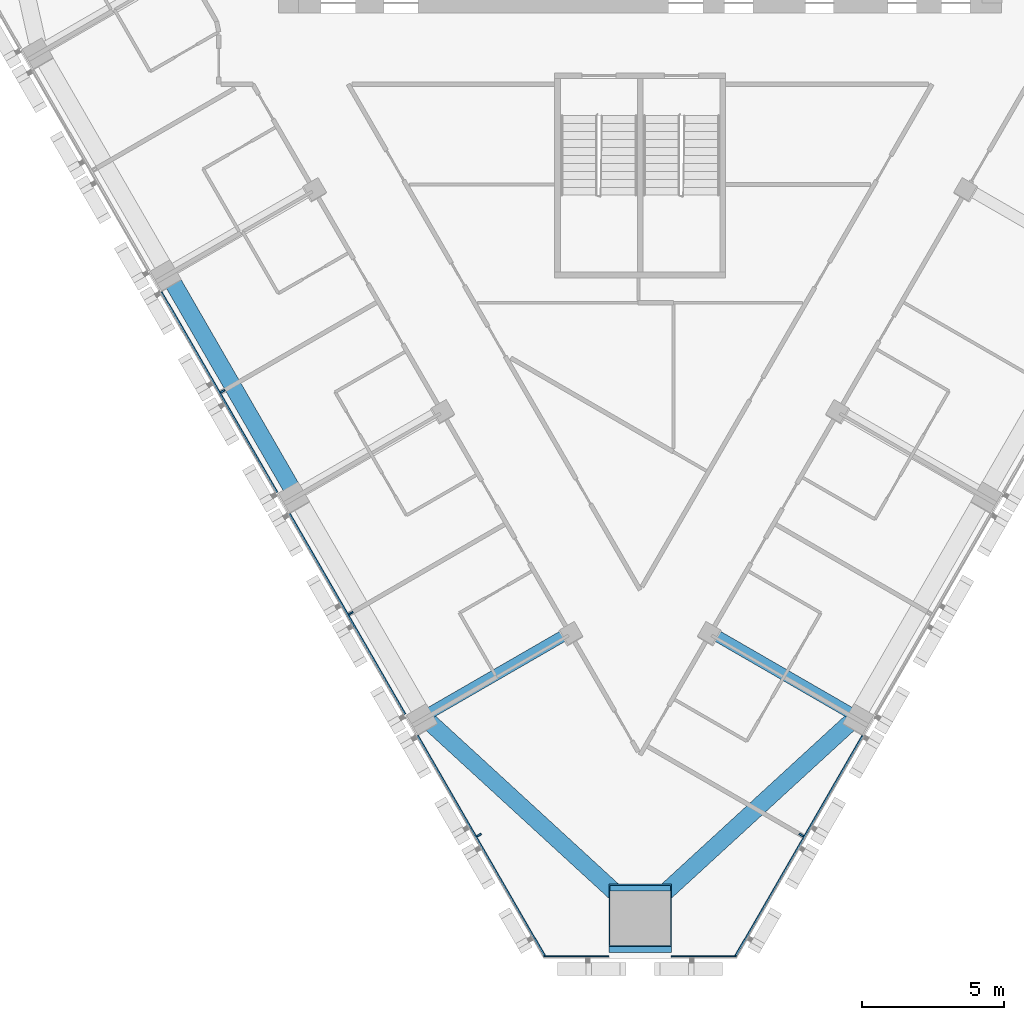
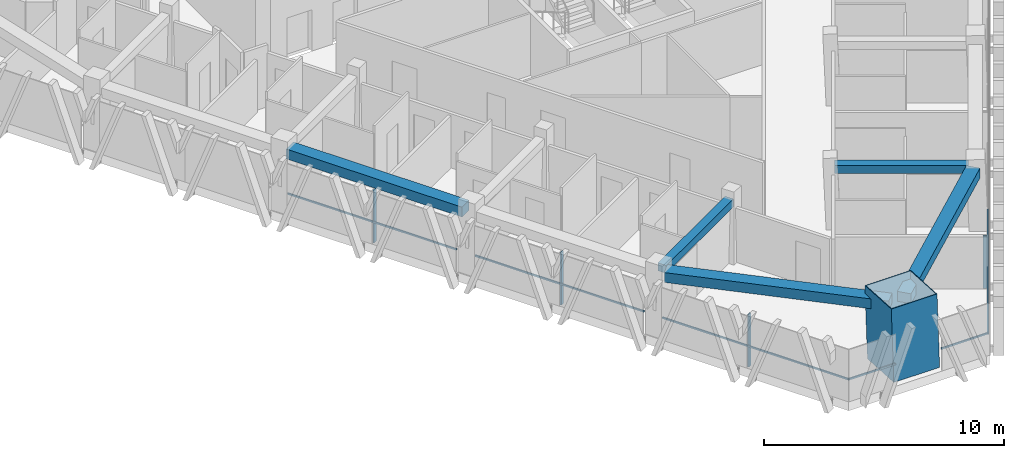
# One storey, part 2 of 16: 11 members, 5 beams, 3 elements without a shape of their own.
"""IFC4 building model written with IfcOpenShell, lengths in metres."""

from ifc_helpers import new_model, si_unit, direction, frame, origin, origin_2d, place, context, subcontext, project, spatial, rectangle, hollow_rectangle, extrude, material, layer, layer_set, material_profile, profile_set, type_object, element, aggregate, save


model = new_model("IFC4")

# Units and contexts
model_context = context("Model", 3, precision=1e-05, world=origin(), true_north=direction((0.0, 1.0)))
body_context = subcontext(model_context, "Body", "Model", "MODEL_VIEW")
ifc_project = project(units=[si_unit("LENGTHUNIT", "METRE"), si_unit("AREAUNIT", "SQUARE_METRE"), si_unit("VOLUMEUNIT", "CUBIC_METRE"), si_unit("PLANEANGLEUNIT", "RADIAN"), si_unit("MASSUNIT", "GRAM", prefix="KILO")], contexts=[model_context])

# Site, building, storey
site_placement = place(None, origin())
site = spatial("IfcSite", under=ifc_project, at=site_placement, CompositionType="ELEMENT")
building_placement = place(site_placement, origin())
building = spatial("IfcBuilding", under=site, at=building_placement, Name="Altiplano Prism Tower", CompositionType="ELEMENT")
storey_placement = place(building_placement, frame((0.0, 0.0, 178.199951171875)))
storey = spatial("IfcBuildingStorey", under=building, at=storey_placement, Name="L46", CompositionType="ELEMENT", Elevation=178.199951171875)

# Curtain wall, members
ifc_material_1 = material(Name="Aluminium and glass", Category="aluminium")
ifc_layer = layer(ifc_material_1, 0.280029296875)
ifc_layer_set = layer_set([ifc_layer], Name="Aluminium and glass")
curtain_wall_type = type_object("IfcCurtainWallType", Name="CW1 typical co-living unitised curtain wall", PredefinedType="NOTDEFINED", material=ifc_layer_set)
curtain_wall_1_placement = place(storey_placement, origin())
curtain_wall_1 = element("IfcCurtainWall", 1, at=curtain_wall_1_placement, inside=storey, type_object=curtain_wall_type, Name="CW1 curtain wall south-west face L46", PredefinedType="NOTDEFINED")
ifc_material_2 = material(Name="Aluminium", Category="aluminium")
ifc_material_profile_1 = material_profile(ifc_material_2, rectangle(XDim=0.179931640625, YDim=0.06494140625, at=origin_2d()), Name="CW1 mullion 65 x 180")
ifc_profile_set_1 = profile_set([ifc_material_profile_1], Name="Aluminium")
member_type_1 = type_object("IfcMemberType", Name="CW1 mullion 65 x 180", PredefinedType="MULLION", material=ifc_profile_set_1)
member_1_placement = place(storey_placement, frame((70.337646484375, 79.413818359375, 0.0), z_axis=(0.0, 0.0, 1.0), x_axis=(0.866025406097, 0.499999995995, 0.0)))
member_1 = element("IfcMember", 2, at=member_1_placement, type_object=member_type_1, Name="CW1 mullion", PredefinedType="MULLION", context=body_context, shape_type="SweptSolid", body=[
    extrude(rectangle(XDim=0.179931640625, YDim=0.06494140625, at=origin_2d()), origin(), (0.0, 0.0, 1.0), 2.650146484375),
])
member_2_placement = place(storey_placement, frame((74.837646484375, 71.61962890625, 0.0), z_axis=(0.0, 0.0, 1.0), x_axis=(0.866025406097, 0.499999995995, 0.0)))
member_2 = element("IfcMember", 3, at=member_2_placement, type_object=member_type_1, Name="CW1 mullion", PredefinedType="MULLION", context=body_context, shape_type="SweptSolid", body=[
    extrude(rectangle(XDim=0.179931640625, YDim=0.06494140625, at=origin_2d()), origin(), (0.0, 0.0, 1.0), 2.650146484375),
])
member_3_placement = place(storey_placement, frame((79.337646484375, 63.825439453125, 0.0), z_axis=(0.0, 0.0, 1.0), x_axis=(0.866025406097, 0.499999995995, 0.0)))
member_3 = element("IfcMember", 4, at=member_3_placement, type_object=member_type_1, Name="CW1 mullion", PredefinedType="MULLION", context=body_context, shape_type="SweptSolid", body=[
    extrude(rectangle(XDim=0.179931640625, YDim=0.06494140625, at=origin_2d()), origin(), (0.0, 0.0, 1.0), 2.650146484375),
])

# Curtain wall, member
curtain_wall_2_placement = place(storey_placement, origin())
curtain_wall_2 = element("IfcCurtainWall", 5, at=curtain_wall_2_placement, inside=storey, type_object=curtain_wall_type, Name="CW1 curtain wall south-east face L46", PredefinedType="NOTDEFINED")
member_4_placement = place(storey_placement, frame((90.662353515625, 63.825439453125, 0.0), z_axis=(0.0, 0.0, 1.0), x_axis=(-0.866025406097, 0.499999995995, 0.0)))
member_4 = element("IfcMember", 6, at=member_4_placement, type_object=member_type_1, Name="CW1 mullion", PredefinedType="MULLION", context=body_context, shape_type="SweptSolid", body=[
    extrude(rectangle(XDim=0.179931640625, YDim=0.06494140625, at=origin_2d()), origin(), (0.0, 0.0, 1.0), 2.650146484375),
])

# Member
ifc_material_profile_2 = material_profile(ifc_material_2, rectangle(XDim=0.06005859375, YDim=0.080078125, at=origin_2d()), Name="CW1 transom 80 x 60")
ifc_profile_set_2 = profile_set([ifc_material_profile_2], Name="Aluminium")
member_type_2 = type_object("IfcMemberType", Name="CW1 transom 80 x 60", PredefinedType="USERDEFINED", material=ifc_profile_set_2)
member_5_placement = place(storey_placement, frame((68.183837890625, 82.904052734375, 1.10009765625), z_axis=(0.50001308349, -0.866017849896, 0.0), x_axis=(0.866017849896, 0.50001308349, 0.0)))
member_5 = element("IfcMember", 7, at=member_5_placement, type_object=member_type_2, Name="CW1 transom", ObjectType="TRANSOM", PredefinedType="USERDEFINED", context=body_context, shape_type="SweptSolid", body=[
    extrude(rectangle(XDim=0.06005859375, YDim=0.080078125, at=origin_2d()), origin(), (0.0, 0.0, 1.0), 8.119873046875),
])

member_6_placement = place(storey_placement, frame((72.683837890625, 75.10986328125, 1.10009765625), z_axis=(0.50001308349, -0.866017849896, 0.0), x_axis=(0.866017849896, 0.50001308349, 0.0)))
member_6 = element("IfcMember", 8, at=member_6_placement, type_object=member_type_2, Name="CW1 transom", ObjectType="TRANSOM", PredefinedType="USERDEFINED", context=body_context, shape_type="SweptSolid", body=[
    extrude(rectangle(XDim=0.06005859375, YDim=0.080078125, at=origin_2d()), origin(), (0.0, 0.0, 1.0), 8.119873046875),
])

member_7_placement = place(storey_placement, frame((77.183837890625, 67.315673828125, 1.10009765625), z_axis=(0.50000780043, -0.866020900157, 0.0), x_axis=(0.866020900157, 0.50000780043, 0.0)))
member_7 = element("IfcMember", 9, at=member_7_placement, type_object=member_type_2, Name="CW1 transom", ObjectType="TRANSOM", PredefinedType="USERDEFINED", context=body_context, shape_type="SweptSolid", body=[
    extrude(rectangle(XDim=0.06005859375, YDim=0.080078125, at=origin_2d()), origin(), (0.0, 0.0, 1.0), 8.986083984375),
])

aggregate(curtain_wall_1, [member_1, member_5, member_2, member_6, member_3, member_7])

# Curtain wall, members
curtain_wall_3_placement = place(storey_placement, origin())
curtain_wall_3 = element("IfcCurtainWall", 10, at=curtain_wall_3_placement, inside=storey, type_object=curtain_wall_type, Name="CW1 curtain wall south chamfer L46", PredefinedType="NOTDEFINED")
member_8_placement = place(storey_placement, frame((81.616455078125, 59.568603515625, 1.10009765625), z_axis=(1.0, 0.0, 0.0), x_axis=(0.0, 1.0, 0.0)))
member_8 = element("IfcMember", 11, at=member_8_placement, type_object=member_type_2, Name="CW1 transom", ObjectType="TRANSOM", PredefinedType="USERDEFINED", context=body_context, shape_type="SweptSolid", body=[
    extrude(rectangle(XDim=0.06005859375, YDim=0.080078125, at=origin_2d()), origin(), (0.0, 0.0, 1.0), 2.283447265625),
])
member_9_placement = place(storey_placement, frame((86.10009765625, 59.568603515625, 1.10009765625), z_axis=(1.0, 0.0, 0.0), x_axis=(0.0, 1.0, 0.0)))
member_9 = element("IfcMember", 12, at=member_9_placement, type_object=member_type_2, Name="CW1 transom", ObjectType="TRANSOM", PredefinedType="USERDEFINED", context=body_context, shape_type="SweptSolid", body=[
    extrude(rectangle(XDim=0.06005859375, YDim=0.080078125, at=origin_2d()), origin(), (0.0, 0.0, 1.0), 2.283447265625),
])
aggregate(curtain_wall_3, [member_8, member_9])

# Member
member_10_placement = place(storey_placement, frame((88.322998046875, 59.533447265625, 1.10009765625), z_axis=(0.50000780043, 0.866020900157, 0.0), x_axis=(-0.866020900157, 0.50000780043, 0.0)))
member_10 = element("IfcMember", 13, at=member_10_placement, type_object=member_type_2, Name="CW1 transom", ObjectType="TRANSOM", PredefinedType="USERDEFINED", context=body_context, shape_type="SweptSolid", body=[
    extrude(rectangle(XDim=0.06005859375, YDim=0.080078125, at=origin_2d()), origin(), (0.0, 0.0, 1.0), 8.986083984375),
])

aggregate(curtain_wall_2, [member_4, member_10])

# Beams
ifc_material_3 = material(Name="Concrete C60/75", Category="concrete")
ifc_material_profile_3 = material_profile(ifc_material_3, rectangle(XDim=0.60009765625, YDim=0.5, at=origin_2d()), Name="Edge beam 600x500")
ifc_profile_set_3 = profile_set([ifc_material_profile_3], Name="Concrete C60/75")
beam_type_1 = type_object("IfcBeamType", Name="Edge beam 600x500", PredefinedType="SPANDREL", material=ifc_profile_set_3)
beam_placement = place(storey_placement, frame((68.53271484375, 83.337158203125, 2.900146484375), z_axis=(0.499993714791, -0.866029032521, 0.0), x_axis=(0.866029032521, 0.499993714791, 0.0)))
element("IfcBeam", 14, at=beam_placement, inside=storey, type_object=beam_type_1, Name="Edge beam P12-P13 L47", PredefinedType="SPANDREL", context=body_context, shape_type="SweptSolid", body=[
    extrude(rectangle(XDim=0.60009765625, YDim=0.5, at=origin_2d()), origin(), (0.0, 0.0, 1.0), 8.43994140625),
])
for number, where, z_axis, x_axis, name in (
    (15, (77.61328125, 67.788818359375, 2.900146484375), (0.736720112464, -0.676197808257, 0.0), (0.676197808257, 0.736720112464, 0.0), "Edge beam P14-M1 L47"),
    (16, (85.33154296875, 61.313232421875, 2.900146484375), (0.736720112464, 0.676197808257, 0.0), (-0.676197808257, 0.736720112464, 0.0), "Edge beam M1-P21 L47"),
):
    element("IfcBeam", number, at=place(storey_placement, frame(where, z_axis=z_axis, x_axis=x_axis)), inside=storey, type_object=beam_type_1, Name=name, PredefinedType="SPANDREL", context=body_context, shape_type="SweptSolid", body=[
        extrude(rectangle(XDim=0.60009765625, YDim=0.5, at=origin_2d()), origin(), (0.0, 0.0, 1.0), 9.576416015625),
    ])

# Member
ifc_material_4 = material(Name="Steel S460", Category="steel")
ifc_material_profile_4 = material_profile(ifc_material_4, hollow_rectangle(XDim=2.199951171875, YDim=2.199951171875, WallThickness=0.0400390625, at=origin_2d()), Name="Mega column tube 2200")
ifc_profile_set_4 = profile_set([ifc_material_profile_4], Name="Steel S460")
member_type_3 = type_object("IfcMemberType", Name="Mega column tube 2200", PredefinedType="POST", material=ifc_profile_set_4)
member_11_placement = place(storey_placement, frame((85.0, 60.798583984375, 0.0), z_axis=(0.0, 0.058356907999, 0.998295783467), x_axis=(-1.0, 0.0, 0.0)))
element("IfcMember", 17, at=member_11_placement, inside=storey, type_object=member_type_3, Name="Mega column tube M1 L46", PredefinedType="POST", context=body_context, shape_type="SweptSolid", body=[
    extrude(hollow_rectangle(XDim=2.199951171875, YDim=2.199951171875, WallThickness=0.0400390625, at=origin_2d()), origin(), (0.0, 0.0, 1.0), 3.606201171875),
])

# Beams
ifc_material_profile_5 = material_profile(ifc_material_3, rectangle(XDim=0.39990234375, YDim=0.39990234375, at=origin_2d()), Name="Tie beam 400x400")
ifc_profile_set_5 = profile_set([ifc_material_profile_5], Name="Concrete C60/75")
beam_type_2 = type_object("IfcBeamType", Name="Tie beam 400x400", PredefinedType="BEAM", material=ifc_profile_set_5)
for number, where, z_axis, x_axis, name in (
    (18, (82.476318359375, 70.926025390625, 2.949951171875), (-0.866030670444, -0.499990877767, 0.0), (0.499990877767, -0.866030670444, 0.0), "Tie beam I14 L47"),
    (19, (87.523681640625, 70.926025390625, 2.949951171875), (0.866030670444, -0.499990877767, 0.0), (0.499990877767, 0.866030670444, 0.0), "Tie beam I21 L47"),
):
    element("IfcBeam", number, at=place(storey_placement, frame(where, z_axis=z_axis, x_axis=x_axis)), inside=storey, type_object=beam_type_2, Name=name, PredefinedType="BEAM", context=body_context, shape_type="SweptSolid", body=[
        extrude(rectangle(XDim=0.39990234375, YDim=0.39990234375, at=origin_2d()), origin(), (0.0, 0.0, 1.0), 5.58984375),
    ])

save(model, "model.ifc")
